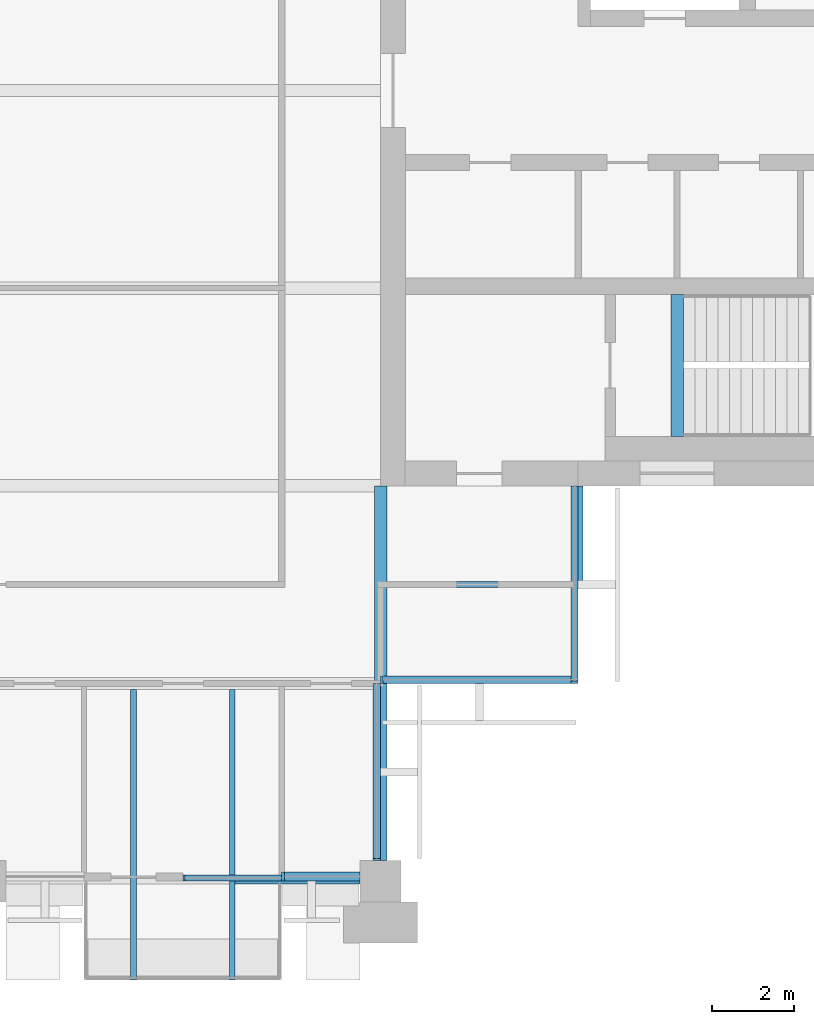
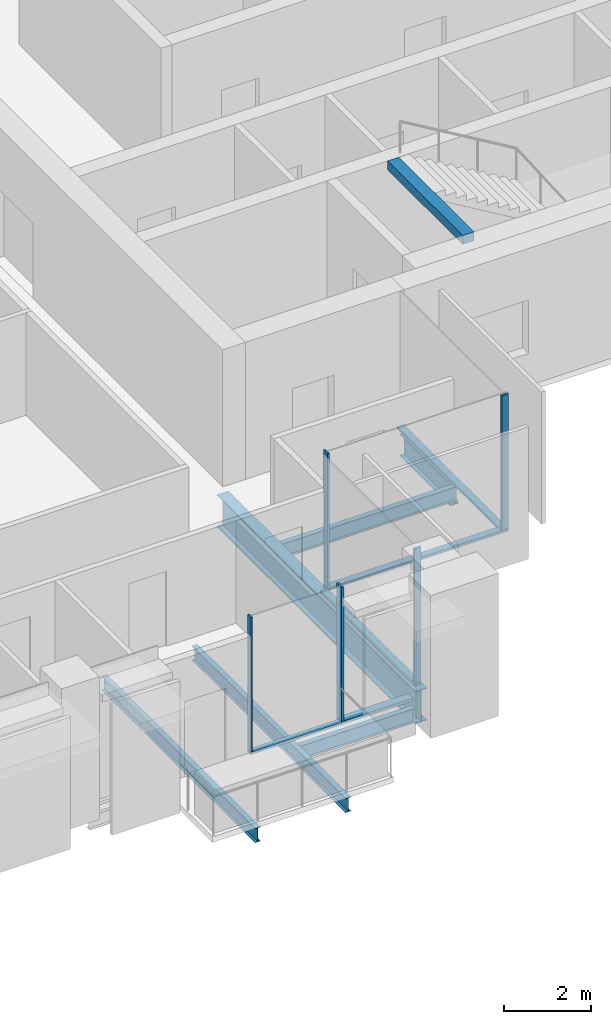
# One storey, part 4 of 13: 10 members, 7 beams, 5 elements without a shape of their own.
"""IFC4 building model written with IfcOpenShell, lengths in metres."""

from ifc_helpers import new_model, si_unit, direction, frame, origin, origin_2d, place, context, subcontext, project, spatial, rectangle, i_section, extrude, material, material_profile, profile_set, type_object, element, aggregate, save


model = new_model("IFC4")

# Units and contexts
model_context = context("Model", 3, precision=1e-05, world=origin(), true_north=direction((0.0, 1.0)))
body_context = subcontext(model_context, "Body", "Model", "MODEL_VIEW")
ifc_project = project(units=[si_unit("LENGTHUNIT", "METRE"), si_unit("AREAUNIT", "SQUARE_METRE"), si_unit("VOLUMEUNIT", "CUBIC_METRE"), si_unit("PLANEANGLEUNIT", "RADIAN"), si_unit("MASSUNIT", "GRAM", prefix="KILO")], contexts=[model_context])

# Site, building, storey
site_placement = place(None, origin())
site = spatial("IfcSite", under=ifc_project, at=site_placement, CompositionType="ELEMENT")
building_placement = place(site_placement, origin())
building = spatial("IfcBuilding", under=site, at=building_placement, Name="Baori Bourse Tower", CompositionType="ELEMENT")
storey_placement = place(building_placement, frame((0.0, 0.0, 326.300048828125)))
storey = spatial("IfcBuildingStorey", under=building, at=storey_placement, Name="L72", CompositionType="ELEMENT", Elevation=326.300048828125)

# Beams
ifc_material_1 = material(Name="Steel A992 Gr 50", Category="steel")
ifc_material_profile_1 = material_profile(ifc_material_1, i_section(OverallWidth=0.140380859375, OverallDepth=0.40380859375, WebThickness=0.007080078125, FlangeThickness=0.01123046875, at=origin_2d()), Name="W16x31")
ifc_profile_set_1 = profile_set([ifc_material_profile_1], Name="Steel A992 Gr 50")
beam_type_1 = type_object("IfcBeamType", Name="Balcony beam W16x31", PredefinedType="BEAM", material=ifc_profile_set_1)
for number, where, z_axis, x_axis, name in (
    (1, (32.39990234375, -2.39990234375, -0.362060546875), (0.0, 1.0, 0.0), (-1.0, 0.0, 0.0), "Balcony beam L72"),
    (2, (34.800048828125, -2.39990234375, -0.362060546875), (0.0, 1.0, 0.0), (-1.0, 0.0, 0.0), "Balcony beam L72"),
):
    element("IfcBeam", number, at=place(storey_placement, frame(where, z_axis=z_axis, x_axis=x_axis)), inside=storey, type_object=beam_type_1, Name=name, PredefinedType="BEAM", context=body_context, shape_type="SweptSolid", body=[
        extrude(i_section(OverallWidth=0.140380859375, OverallDepth=0.40380859375, WebThickness=0.007080078125, FlangeThickness=0.01123046875, at=origin_2d()), origin(), (0.0, 0.0, 1.0), 7.050048828125),
    ])

# Curtain wall, member
ifc_material_2 = material(Name="Pale anodised aluminium", Category="aluminium")
curtain_wall_type_1 = type_object("IfcCurtainWallType", Name="CW2 Curtain wall", PredefinedType="NOTDEFINED", material=ifc_material_2)
curtain_wall_1_placement = place(storey_placement, origin())
curtain_wall_1 = element("IfcCurtainWall", 3, at=curtain_wall_1_placement, inside=storey, type_object=curtain_wall_type_1, Name="Curtain wall CW2 L72 16", PredefinedType="NOTDEFINED")
ifc_material_3 = material(Name="Pale anodised aluminium", Category="aluminium")
ifc_material_profile_2 = material_profile(ifc_material_3, rectangle(XDim=0.179931640625, YDim=0.054931640625, at=origin_2d()), Name="Mullion 55x180")
ifc_profile_set_2 = profile_set([ifc_material_profile_2], Name="Pale anodised aluminium")
member_type_1 = type_object("IfcMemberType", Name="CW2 Curtain wall mullion", PredefinedType="MULLION", material=ifc_profile_set_2)
member_1_placement = place(storey_placement, frame((38.31005859375, 0.527587890625, 0.070068359375), z_axis=(0.0, 0.0, 1.0), x_axis=(-1.0, 0.0, 0.0)))
member_1 = element("IfcMember", 4, at=member_1_placement, type_object=member_type_1, Name="Curtain wall CW2 mullion", PredefinedType="MULLION", context=body_context, shape_type="SweptSolid", body=[
    extrude(rectangle(XDim=0.179931640625, YDim=0.054931640625, at=origin_2d()), origin(), (0.0, 0.0, 1.0), 3.769775390625),
])

curtain_wall_2_placement = place(storey_placement, origin())
curtain_wall_2 = element("IfcCurtainWall", 5, at=curtain_wall_2_placement, inside=storey, type_object=curtain_wall_type_1, Name="Curtain wall CW2 L72 17", PredefinedType="NOTDEFINED")
member_2_placement = place(storey_placement, frame((38.427490234375, 4.889892578125, 0.070068359375), z_axis=(0.0, 0.0, 1.0), x_axis=(0.0, 1.0, 0.0)))
member_2 = element("IfcMember", 6, at=member_2_placement, type_object=member_type_1, Name="Curtain wall CW2 mullion", PredefinedType="MULLION", context=body_context, shape_type="SweptSolid", body=[
    extrude(rectangle(XDim=0.179931640625, YDim=0.054931640625, at=origin_2d()), origin(), (0.0, 0.0, 1.0), 3.769775390625),
])

curtain_wall_3_placement = place(storey_placement, origin())
curtain_wall_3 = element("IfcCurtainWall", 7, at=curtain_wall_3_placement, inside=storey, type_object=curtain_wall_type_1, Name="Curtain wall CW2 L72 18", PredefinedType="NOTDEFINED")
member_3_placement = place(storey_placement, frame((43.110107421875, 4.827392578125, 0.070068359375), z_axis=(0.0, 0.0, 1.0), x_axis=(-1.0, 0.0, 0.0)))
member_3 = element("IfcMember", 8, at=member_3_placement, type_object=member_type_1, Name="Curtain wall CW2 mullion", PredefinedType="MULLION", context=body_context, shape_type="SweptSolid", body=[
    extrude(rectangle(XDim=0.179931640625, YDim=0.054931640625, at=origin_2d()), origin(), (0.0, 0.0, 1.0), 3.769775390625),
])

# Member
ifc_material_4 = material(Name="Pale anodised aluminium", Category="aluminium")
ifc_material_profile_3 = material_profile(ifc_material_4, rectangle(XDim=0.179931640625, YDim=0.070068359375, at=origin_2d()), Name="Transom 70x180")
ifc_profile_set_3 = profile_set([ifc_material_profile_3], Name="Pale anodised aluminium")
member_type_2 = type_object("IfcMemberType", Name="CW2 Curtain wall transom", PredefinedType="USERDEFINED", material=ifc_profile_set_3)
member_4_placement = place(storey_placement, frame((38.31005859375, 0.5, 0.034912109375), z_axis=(0.0, 1.0, 0.0), x_axis=(-1.0, 0.0, 0.0)))
member_4 = element("IfcMember", 9, at=member_4_placement, type_object=member_type_2, Name="Curtain wall CW2 sill rail", ObjectType="TRANSOM", PredefinedType="USERDEFINED", context=body_context, shape_type="SweptSolid", body=[
    extrude(rectangle(XDim=0.179931640625, YDim=0.070068359375, at=origin_2d()), origin(), (0.0, 0.0, 1.0), 4.300048828125),
])

aggregate(curtain_wall_1, [member_4, member_1])

member_5_placement = place(storey_placement, frame((38.39990234375, 4.889892578125, 0.034912109375), z_axis=(1.0, 0.0, 0.0), x_axis=(0.0, 1.0, 0.0)))
member_5 = element("IfcMember", 10, at=member_5_placement, type_object=member_type_2, Name="Curtain wall CW2 sill rail", ObjectType="TRANSOM", PredefinedType="USERDEFINED", context=body_context, shape_type="SweptSolid", body=[
    extrude(rectangle(XDim=0.179931640625, YDim=0.070068359375, at=origin_2d()), origin(), (0.0, 0.0, 1.0), 4.800048828125),
])

aggregate(curtain_wall_2, [member_5, member_2])

member_6_placement = place(storey_placement, frame((43.110107421875, 4.800048828125, 0.034912109375), z_axis=(0.0, 1.0, 0.0), x_axis=(-1.0, 0.0, 0.0)))
member_6 = element("IfcMember", 11, at=member_6_placement, type_object=member_type_2, Name="Curtain wall CW2 sill rail", ObjectType="TRANSOM", PredefinedType="USERDEFINED", context=body_context, shape_type="SweptSolid", body=[
    extrude(rectangle(XDim=0.179931640625, YDim=0.070068359375, at=origin_2d()), origin(), (0.0, 0.0, 1.0), 4.800048828125),
])

aggregate(curtain_wall_3, [member_6, member_3])

# Curtain wall, members
ifc_material_5 = material(Name="Pale anodised aluminium", Category="aluminium")
curtain_wall_type_2 = type_object("IfcCurtainWallType", Name="CW5 Curtain wall", PredefinedType="NOTDEFINED", material=ifc_material_5)
curtain_wall_4_placement = place(storey_placement, origin())
curtain_wall_4 = element("IfcCurtainWall", 12, at=curtain_wall_4_placement, inside=storey, type_object=curtain_wall_type_2, Name="Curtain wall CW5 L72 15", PredefinedType="NOTDEFINED")
ifc_material_6 = material(Name="Pale anodised aluminium", Category="aluminium")
ifc_material_profile_4 = material_profile(ifc_material_6, rectangle(XDim=0.219970703125, YDim=0.06494140625, at=origin_2d()), Name="Mullion 65x220")
ifc_profile_set_4 = profile_set([ifc_material_profile_4], Name="Pale anodised aluminium")
member_type_3 = type_object("IfcMemberType", Name="CW5 Curtain wall mullion", PredefinedType="MULLION", material=ifc_profile_set_4)
member_7_placement = place(storey_placement, frame((36.032470703125, 0.110107421875, 0.0849609375), z_axis=(0.0, 0.0, 1.0), x_axis=(0.0, 1.0, 0.0)))
member_7 = element("IfcMember", 13, at=member_7_placement, type_object=member_type_3, Name="Curtain wall CW5 mullion", PredefinedType="MULLION", context=body_context, shape_type="SweptSolid", body=[
    extrude(rectangle(XDim=0.219970703125, YDim=0.06494140625, at=origin_2d()), origin(), (0.0, 0.0, 1.0), 3.7548828125),
])
ifc_material_7 = material(Name="Pale anodised aluminium", Category="aluminium")
ifc_material_profile_5 = material_profile(ifc_material_7, rectangle(XDim=0.219970703125, YDim=0.0849609375, at=origin_2d()), Name="Transom 85x220")
ifc_profile_set_5 = profile_set([ifc_material_profile_5], Name="Pale anodised aluminium")
member_type_4 = type_object("IfcMemberType", Name="CW5 Curtain wall transom", PredefinedType="USERDEFINED", material=ifc_profile_set_5)
member_8_placement = place(storey_placement, frame((36.0, 0.110107421875, 0.04248046875), z_axis=(1.0, 0.0, 0.0), x_axis=(0.0, 1.0, 0.0)))
member_8 = element("IfcMember", 14, at=member_8_placement, type_object=member_type_4, Name="Curtain wall CW5 sill rail", ObjectType="TRANSOM", PredefinedType="USERDEFINED", context=body_context, shape_type="SweptSolid", body=[
    extrude(rectangle(XDim=0.219970703125, YDim=0.0849609375, at=origin_2d()), origin(), (0.0, 0.0, 1.0), 1.89990234375),
])
aggregate(curtain_wall_4, [member_8, member_7])

ifc_material_8 = material(Name="Pale anodised aluminium", Category="aluminium")
curtain_wall_type_3 = type_object("IfcCurtainWallType", Name="CW6 Curtain wall", PredefinedType="NOTDEFINED", material=ifc_material_8)
curtain_wall_5_placement = place(storey_placement, origin())
curtain_wall_5 = element("IfcCurtainWall", 15, at=curtain_wall_5_placement, inside=storey, type_object=curtain_wall_type_3, Name="Curtain wall CW6 L72 14", PredefinedType="NOTDEFINED")
ifc_material_9 = material(Name="Pale anodised aluminium", Category="aluminium")
ifc_material_profile_6 = material_profile(ifc_material_9, rectangle(XDim=0.14990234375, YDim=0.050048828125, at=origin_2d()), Name="Mullion 50x150")
ifc_profile_set_6 = profile_set([ifc_material_profile_6], Name="Pale anodised aluminium")
member_type_5 = type_object("IfcMemberType", Name="CW6 Curtain wall mullion", PredefinedType="MULLION", material=ifc_profile_set_6)
member_9_placement = place(storey_placement, frame((33.625, 0.074951171875, 0.06494140625), z_axis=(0.0, 0.0, 1.0), x_axis=(0.0, 1.0, 0.0)))
member_9 = element("IfcMember", 16, at=member_9_placement, type_object=member_type_5, Name="Curtain wall CW6 mullion", PredefinedType="MULLION", context=body_context, shape_type="SweptSolid", body=[
    extrude(rectangle(XDim=0.14990234375, YDim=0.050048828125, at=origin_2d()), origin(), (0.0, 0.0, 1.0), 3.77490234375),
])
ifc_material_10 = material(Name="Pale anodised aluminium", Category="aluminium")
ifc_material_profile_7 = material_profile(ifc_material_10, rectangle(XDim=0.14990234375, YDim=0.06494140625, at=origin_2d()), Name="Transom 65x150")
ifc_profile_set_7 = profile_set([ifc_material_profile_7], Name="Pale anodised aluminium")
member_type_6 = type_object("IfcMemberType", Name="CW6 Curtain wall transom", PredefinedType="USERDEFINED", material=ifc_profile_set_7)
member_10_placement = place(storey_placement, frame((33.60009765625, 0.074951171875, 0.032470703125), z_axis=(1.0, 0.0, 0.0), x_axis=(0.0, 1.0, 0.0)))
member_10 = element("IfcMember", 17, at=member_10_placement, type_object=member_type_6, Name="Curtain wall CW6 sill rail", ObjectType="TRANSOM", PredefinedType="USERDEFINED", context=body_context, shape_type="SweptSolid", body=[
    extrude(rectangle(XDim=0.14990234375, YDim=0.06494140625, at=origin_2d()), origin(), (0.0, 0.0, 1.0), 2.39990234375),
])
aggregate(curtain_wall_5, [member_10, member_9])

# Beams
ifc_material_11 = material(Name="Steel A992 Gr 50", Category="steel")
ifc_material_profile_8 = material_profile(ifc_material_11, i_section(OverallWidth=0.227783203125, OverallDepth=0.60205078125, WebThickness=0.010498046875, FlangeThickness=0.014892578125, at=origin_2d()), Name="W24x68")
ifc_profile_set_8 = profile_set([ifc_material_profile_8], Name="Steel A992 Gr 50")
beam_type_2 = type_object("IfcBeamType", Name="Core bracket W24x68", PredefinedType="BEAM", material=ifc_profile_set_8)
beam_1_placement = place(storey_placement, frame((43.199951171875, 7.270263671875, -0.4609375), z_axis=(0.0, 1.0, 0.0), x_axis=(-1.0, 0.0, 0.0)))
element("IfcBeam", 18, at=beam_1_placement, inside=storey, type_object=beam_type_2, Name="Core bracket L72", PredefinedType="BEAM", context=body_context, shape_type="SweptSolid", body=[
    extrude(i_section(OverallWidth=0.227783203125, OverallDepth=0.60205078125, WebThickness=0.010498046875, FlangeThickness=0.014892578125, at=origin_2d()), origin(), (0.0, 0.0, 1.0), 2.329833984375),
])
ifc_material_12 = material(Name="Steel A992 Gr 50", Category="steel")
ifc_material_profile_9 = material_profile(ifc_material_12, i_section(OverallWidth=0.140380859375, OverallDepth=0.40380859375, WebThickness=0.007080078125, FlangeThickness=0.01123046875, at=origin_2d()), Name="W16x31")
ifc_profile_set_9 = profile_set([ifc_material_profile_9], Name="Steel A992 Gr 50")
beam_type_3 = type_object("IfcBeamType", Name="Edge beam W16x31", PredefinedType="BEAM", material=ifc_profile_set_9)
beam_2_placement = place(storey_placement, frame((34.8701171875, 0.0, -0.362060546875), z_axis=(1.0, 0.0, 0.0), x_axis=(0.0, 1.0, 0.0)))
element("IfcBeam", 19, at=beam_2_placement, inside=storey, type_object=beam_type_3, Name="Edge beam L72", PredefinedType="BEAM", context=body_context, shape_type="SweptSolid", body=[
    extrude(i_section(OverallWidth=0.140380859375, OverallDepth=0.40380859375, WebThickness=0.007080078125, FlangeThickness=0.01123046875, at=origin_2d()), origin(), (0.0, 0.0, 1.0), 3.02978515625),
])
ifc_material_13 = material(Name="Steel A992 Gr 50", Category="steel")
ifc_material_profile_10 = material_profile(ifc_material_13, i_section(OverallWidth=0.3046875, OverallDepth=0.904296875, WebThickness=0.01513671875, FlangeThickness=0.02001953125, at=origin_2d()), Name="W36x135")
ifc_profile_set_10 = profile_set([ifc_material_profile_10], Name="Steel A992 Gr 50")
beam_type_4 = type_object("IfcBeamType", Name="Girder W36x135", PredefinedType="BEAM", material=ifc_profile_set_10)
beam_3_placement = place(storey_placement, frame((38.39990234375, 0.5, -0.612060546875), z_axis=(0.0, 1.0, 0.0), x_axis=(-1.0, 0.0, 0.0)))
element("IfcBeam", 20, at=beam_3_placement, inside=storey, type_object=beam_type_4, Name="Girder L72", PredefinedType="BEAM", context=body_context, shape_type="SweptSolid", body=[
    extrude(i_section(OverallWidth=0.3046875, OverallDepth=0.904296875, WebThickness=0.01513671875, FlangeThickness=0.02001953125, at=origin_2d()), origin(), (0.0, 0.0, 1.0), 9.10009765625),
])
ifc_material_14 = material(Name="Concrete f'c 50 MPa", Category="concrete")
ifc_material_profile_11 = material_profile(ifc_material_14, rectangle(XDim=0.300048828125, YDim=0.25, at=origin_2d()), Name="RC 300x250")
ifc_profile_set_11 = profile_set([ifc_material_profile_11], Name="Concrete f'c 50 MPa")
beam_type_5 = type_object("IfcBeamType", Name="Stair nib beam RC 300x250", PredefinedType="BEAM", material=ifc_profile_set_11)
beam_4_placement = place(storey_placement, frame((45.60009765625, 10.800048828125, 3.71484375), z_axis=(0.0, 1.0, 0.0), x_axis=(-1.0, 0.0, 0.0)))
element("IfcBeam", 21, at=beam_4_placement, inside=storey, type_object=beam_type_5, Name="Stair EA nib beam L73", PredefinedType="BEAM", context=body_context, shape_type="SweptSolid", body=[
    extrude(rectangle(XDim=0.300048828125, YDim=0.25, at=origin_2d()), origin(), (0.0, 0.0, 1.0), 3.449951171875),
])
ifc_material_15 = material(Name="Steel A992 Gr 50", Category="steel")
ifc_material_profile_12 = material_profile(ifc_material_15, i_section(OverallWidth=0.140380859375, OverallDepth=0.40380859375, WebThickness=0.007080078125, FlangeThickness=0.01123046875, at=origin_2d()), Name="W16x31")
ifc_profile_set_12 = profile_set([ifc_material_profile_12], Name="Steel A992 Gr 50")
beam_type_6 = type_object("IfcBeamType", Name="Trimmer beam W16x31", PredefinedType="BEAM", material=ifc_profile_set_12)
beam_5_placement = place(storey_placement, frame((38.552490234375, 7.199951171875, -0.362060546875), z_axis=(1.0, 0.0, 0.0), x_axis=(0.0, 1.0, 0.0)))
element("IfcBeam", 22, at=beam_5_placement, inside=storey, type_object=beam_type_6, Name="Trimmer beam L72", PredefinedType="BEAM", context=body_context, shape_type="SweptSolid", body=[
    extrude(i_section(OverallWidth=0.140380859375, OverallDepth=0.40380859375, WebThickness=0.007080078125, FlangeThickness=0.01123046875, at=origin_2d()), origin(), (0.0, 0.0, 1.0), 4.6474609375),
])

save(model, "model.ifc")
